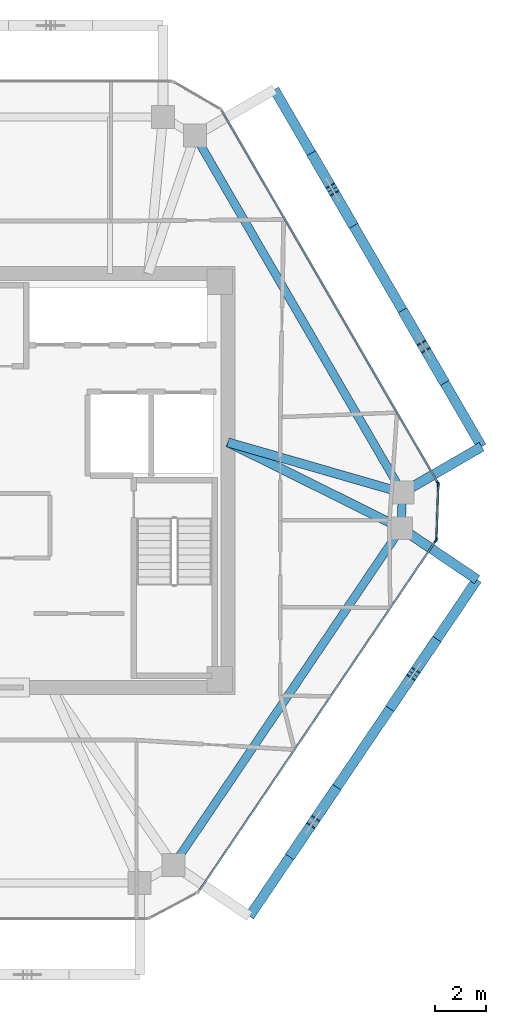
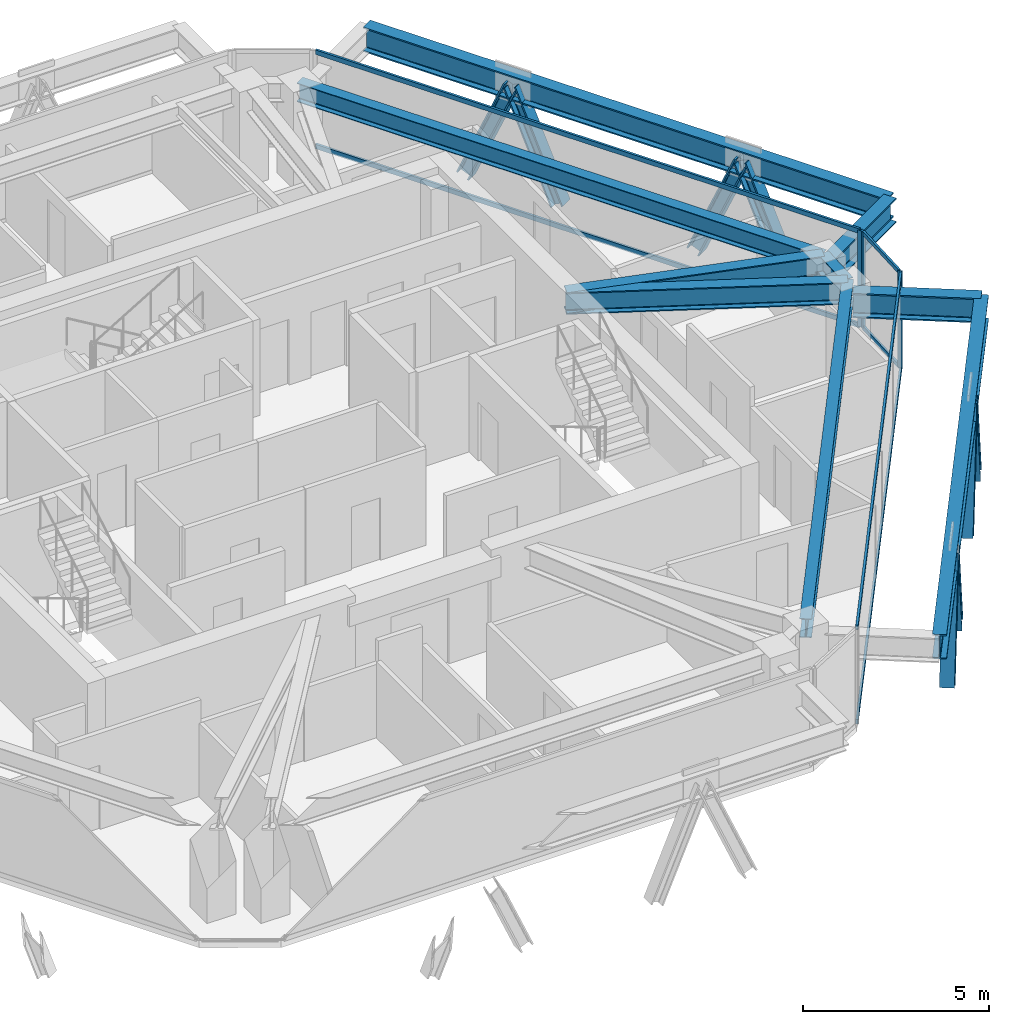
# One storey, part 5 of 13: 18 members, 9 beams, 3 elements without a shape of their own.
"""IFC4 building model written with IfcOpenShell, lengths in metres."""

import ifcopenshell
import ifcopenshell.guid

model = None  # the IFC model being written
_history = None  # IfcOwnerHistory: only IFC2X3 demands one
_inside = {}  # id of a spatial element -> (the spatial element, [elements in it])
_under = {}  # id of a project, library or spatial element -> (it, [spatial elements below it])
_declared = {}  # id of a project -> (the project, [libraries it declares])
_typed = {}  # id of a type object -> (the type object, [elements of that type])
_made_of = {}  # id of a material, layer set ... -> (it, [elements and type objects made of it])


def new_model(schema):
    """Start an empty IFC model of exactly this schema.

    Asked for "IFC4X3", IfcOpenShell would pick the latest addendum, in which some entities
    have other attributes; the version numbers below select the first issue.
    IFC2X3 requires an IfcOwnerHistory on every rooted entity: one is made here for all.
    """
    global model, _history
    if schema == "IFC4X3":
        model = ifcopenshell.file(schema_version=(4, 3, 0, 0))
    else:
        model = ifcopenshell.file(schema=schema)
    _inside.clear()
    _under.clear()
    _declared.clear()
    _typed.clear()
    _made_of.clear()
    _history = None
    if model.schema == "IFC2X3":
        org = make("IfcOrganization", Name="unknown")
        user = make(
            "IfcPersonAndOrganization",
            ThePerson=make("IfcPerson", FamilyName="unknown"),
            TheOrganization=org,
        )
        app = make(
            "IfcApplication",
            ApplicationDeveloper=org,
            Version="unknown",
            ApplicationFullName="unknown",
            ApplicationIdentifier="unknown",
        )
        _history = make(
            "IfcOwnerHistory",
            OwningUser=user,
            OwningApplication=app,
            ChangeAction="ADDED",
            CreationDate=0,
        )
    return model


def make(cls, **values):
    """One entity of the class cls with the attributes given. An attribute that is None is left unset."""
    return model.create_entity(
        cls, **{name: value for name, value in values.items() if value is not None}
    )


def rooted(cls, **values):
    """An entity with a GlobalId (a new one), such as an element, a storey or a relation."""
    return make(cls, GlobalId=ifcopenshell.guid.new(), OwnerHistory=_history, **values)


def si_unit(unit_type, name, prefix=None):
    """IfcSIUnit, for example si_unit("LENGTHUNIT", "METRE", prefix="MILLI")."""
    return make("IfcSIUnit", UnitType=unit_type, Prefix=prefix, Name=name)


def assignment(units):
    """IfcUnitAssignment: the units of a project."""
    return None if units is None else make("IfcUnitAssignment", Units=units)


def point(xyz):
    """IfcCartesianPoint."""
    return None if xyz is None else make("IfcCartesianPoint", Coordinates=xyz)


def direction(xyz):
    """IfcDirection."""
    return None if xyz is None else make("IfcDirection", DirectionRatios=xyz)


def frame(location, z_axis=None, x_axis=None):
    """IfcAxis2Placement3D, a coordinate frame: its origin and axes. An axis left out is left unset."""
    return make(
        "IfcAxis2Placement3D",
        Location=point(location),
        Axis=direction(z_axis),
        RefDirection=direction(x_axis),
    )


def frame_2d(location, x_axis=None):
    """IfcAxis2Placement2D, a coordinate frame in the plane: its origin and x axis."""
    return make(
        "IfcAxis2Placement2D", Location=point(location), RefDirection=direction(x_axis)
    )


def origin():
    """The frame at (0, 0, 0) with its axes left unset."""
    return frame((0.0, 0.0, 0.0))


def origin_2d():
    """The frame at (0, 0) in the plane with its x axis left unset."""
    return frame_2d((0.0, 0.0))


def place(relative_to, where):
    """IfcLocalPlacement: puts the frame where relative to a parent placement (None: the world)."""
    return make(
        "IfcLocalPlacement", PlacementRelTo=relative_to, RelativePlacement=where
    )


def context(
    kind, dimensions, precision=None, world=None, true_north=None, identifier=None
):
    """IfcGeometricRepresentationContext, for example the 3D "Model" context."""
    return make(
        "IfcGeometricRepresentationContext",
        ContextIdentifier=identifier,
        ContextType=kind,
        CoordinateSpaceDimension=dimensions,
        Precision=precision,
        WorldCoordinateSystem=world,
        TrueNorth=true_north,
    )


def subcontext(parent, identifier, kind, view, scale=None):
    """IfcGeometricRepresentationSubContext, for example "Body" below "Model"."""
    return make(
        "IfcGeometricRepresentationSubContext",
        ContextIdentifier=identifier,
        ContextType=kind,
        ParentContext=parent,
        TargetScale=scale,
        TargetView=view,
    )


def project(units=None, contexts=None):
    """IfcProject with its units and contexts."""
    return rooted(
        "IfcProject",
        Name="project",
        RepresentationContexts=contexts,
        UnitsInContext=assignment(units),
    )


def spatial(cls, under=None, at=None, **own):
    """A site, building, storey or space (cls), placed at a placement, below another one or the project."""
    s = rooted(cls, ObjectPlacement=at, **own)
    if under is not None:
        _under.setdefault(under.id(), (under, []))[1].append(s)
    return s


def profile(cls, at=None, kind="AREA", **sizes):
    """A parametric profile (cls). Its sizes go by their IFC names, for example OverallWidth=200.0."""
    return make(cls, ProfileType=kind, Position=at, **sizes)


def rectangle(**sizes):
    """IfcRectangleProfileDef."""
    return profile("IfcRectangleProfileDef", **sizes)


def i_section(**sizes):
    """IfcIShapeProfileDef."""
    return profile("IfcIShapeProfileDef", **sizes)


def extrude(swept, where, along, depth):
    """IfcExtrudedAreaSolid: the profile swept, set in the frame where, extruded along a direction by depth."""
    return make(
        "IfcExtrudedAreaSolid",
        SweptArea=swept,
        Position=where,
        ExtrudedDirection=direction(along),
        Depth=depth,
    )


def shape(context_of_items, identifier, shape_type, items):
    """IfcShapeRepresentation: the items that make up one representation, for example the "Body"."""
    return make(
        "IfcShapeRepresentation",
        ContextOfItems=context_of_items,
        RepresentationIdentifier=identifier,
        RepresentationType=shape_type,
        Items=items,
    )


def source(mapping_origin, context_of_items, identifier, shape_type, items):
    """IfcRepresentationMap: a shape defined once, which mapped items show again and again."""
    return make(
        "IfcRepresentationMap",
        MappingOrigin=mapping_origin,
        MappedRepresentation=shape(context_of_items, identifier, shape_type, items),
    )


def transform(
    local_origin,
    x_axis=None,
    y_axis=None,
    z_axis=None,
    scale=None,
    scale2=None,
    scale3=None,
    uniform=True,
):
    """IfcCartesianTransformationOperator3D, or its non-uniform kind. x_axis, y_axis, z_axis: its Axis1, 2, 3."""
    if uniform:
        return make(
            "IfcCartesianTransformationOperator3D",
            Axis1=direction(x_axis),
            Axis2=direction(y_axis),
            LocalOrigin=point(local_origin),
            Scale=scale,
            Axis3=direction(z_axis),
        )
    return make(
        "IfcCartesianTransformationOperator3DnonUniform",
        Axis1=direction(x_axis),
        Axis2=direction(y_axis),
        LocalOrigin=point(local_origin),
        Scale=scale,
        Axis3=direction(z_axis),
        Scale2=scale2,
        Scale3=scale3,
    )


def mapped(mapping_source, mapping_target):
    """IfcMappedItem: shows the shape of a source again, moved by a transform."""
    return make(
        "IfcMappedItem", MappingSource=mapping_source, MappingTarget=mapping_target
    )


def material(Name=None, Category=None):
    """IfcMaterial."""
    return make("IfcMaterial", Name=Name, Category=Category)


def layer(
    of_material, thickness, ventilated=None, Name=None, Category=None, Priority=None
):
    """IfcMaterialLayer: one layer of a wall or slab, of a material (None: an air gap)."""
    return make(
        "IfcMaterialLayer",
        Material=of_material,
        LayerThickness=thickness,
        IsVentilated=ventilated,
        Name=Name,
        Category=Category,
        Priority=Priority,
    )


def layer_set(layers, Name=None):
    """IfcMaterialLayerSet."""
    return make("IfcMaterialLayerSet", MaterialLayers=layers, LayerSetName=Name)


def material_profile(
    of_material, cross_section, Name=None, Category=None, Priority=None
):
    """IfcMaterialProfile: a cross section and its material."""
    return make(
        "IfcMaterialProfile",
        Name=Name,
        Material=of_material,
        Profile=cross_section,
        Priority=Priority,
        Category=Category,
    )


def profile_set(profiles, Name=None, composite=None):
    """IfcMaterialProfileSet."""
    return make(
        "IfcMaterialProfileSet",
        Name=Name,
        MaterialProfiles=profiles,
        CompositeProfile=composite,
    )


def made_of(thing, what):
    """Note that an element or type object is made of a material, layer set ...; save() writes the relation."""
    if what is not None:
        _made_of.setdefault(what.id(), (what, []))[1].append(thing)
    return thing


def type_object(cls, material=None, **own):
    """A type object (cls), such as IfcWallType, which elements share."""
    return made_of(rooted(cls, **own), material)


def type_shapes(of_type, sources):
    """Give a type object the sources (RepresentationMaps) that its elements show as mapped items."""
    of_type.RepresentationMaps = sources


def element(
    cls,
    number,
    at=None,
    inside=None,
    cuts=None,
    type_object=None,
    material=None,
    context=None,
    identifier="Body",
    shape_type=None,
    held_by="IfcProductDefinitionShape",
    body=None,
    shapes=None,
    **own,
):
    """One element of the class cls, such as IfcWall. Its Tag is "e" and its number.

    at: its placement. inside: the storey or other place that contains it. cuts: it is an
    opening in that element (IfcRelVoidsElement). A single representation is given by context,
    identifier, shape_type and body (its items); several are given by shapes. held_by: the class
    of the entity that holds the representations. save() writes the other relations.
    """
    e = rooted(cls, Tag="e%d" % number, ObjectPlacement=at, **own)
    if body is not None:
        shapes = [shape(context, identifier, shape_type, body)]
    if shapes is not None:
        e.Representation = make(held_by, Representations=shapes)
    if inside is not None:
        _inside.setdefault(inside.id(), (inside, []))[1].append(e)
    if cuts is not None:
        rooted(
            "IfcRelVoidsElement", RelatingBuildingElement=cuts, RelatedOpeningElement=e
        )
    if type_object is not None:
        _typed.setdefault(type_object.id(), (type_object, []))[1].append(e)
    return made_of(e, material)


def aggregate(whole, parts):
    """IfcRelAggregates: a whole, such as a stair, and the parts it consists of."""
    return rooted("IfcRelAggregates", RelatingObject=whole, RelatedObjects=parts)


def save(model, path):
    """Write the relations noted so far, then the file.

    IfcRelAggregates (storeys below a building ...), IfcRelContainedInSpatialStructure (elements
    in a storey), IfcRelDefinesByType, IfcRelAssociatesMaterial and IfcRelDeclares: one each for
    every whole, place, type object, material and project.
    """
    for whole, parts in _under.values():
        aggregate(whole, parts)
    for where, things in _inside.values():
        rooted(
            "IfcRelContainedInSpatialStructure",
            RelatedElements=things,
            RelatingStructure=where,
        )
    for kind, things in _typed.values():
        rooted("IfcRelDefinesByType", RelatedObjects=things, RelatingType=kind)
    for what, things in _made_of.values():
        rooted("IfcRelAssociatesMaterial", RelatedObjects=things, RelatingMaterial=what)
    for by, libraries in _declared.values():
        rooted("IfcRelDeclares", RelatingContext=by, RelatedDefinitions=libraries)
    model.write(path)


model = new_model("IFC4")

# Units and contexts
model_context = context("Model", 3, precision=1e-05, world=origin(), true_north=direction((0.0, 1.0)))
body_context = subcontext(model_context, "Body", "Model", "MODEL_VIEW")
ifc_project = project(units=[si_unit("LENGTHUNIT", "METRE"), si_unit("AREAUNIT", "SQUARE_METRE"), si_unit("VOLUMEUNIT", "CUBIC_METRE"), si_unit("PLANEANGLEUNIT", "RADIAN"), si_unit("MASSUNIT", "GRAM", prefix="KILO")], contexts=[model_context])

# Site, building, storey
site_placement = place(None, origin())
site = spatial("IfcSite", under=ifc_project, at=site_placement, CompositionType="ELEMENT")
building_placement = place(site_placement, origin())
building = spatial("IfcBuilding", under=site, at=building_placement, Name="Durnholm Broadcast Tower", CompositionType="ELEMENT")
storey_placement = place(building_placement, frame((0.0, 0.0, 254.699951171875)))
storey = spatial("IfcBuildingStorey", under=building, at=storey_placement, Name="L71", CompositionType="ELEMENT", Elevation=254.699951171875)

# Beams
ifc_material_1 = material(Name="Steel ASTM A992 Grade 50", Category="steel")
ifc_material_profile_1 = material_profile(ifc_material_1, i_section(OverallWidth=0.385009765625, OverallDepth=0.802978515625, WebThickness=0.023681640625, FlangeThickness=0.0419921875, FilletRadius=0.032958984375, at=origin_2d()), Name="W30X261")
ifc_profile_set_1 = profile_set([ifc_material_profile_1], Name="Steel ASTM A992 Grade 50")
beam_type_1 = type_object("IfcBeamType", Name="BM-EXO-TIE", PredefinedType="USERDEFINED", material=ifc_profile_set_1)
shared_shape_1 = source(origin(), body_context, "Body", "SweptSolid", [
    extrude(i_section(OverallWidth=0.385009765625, OverallDepth=0.802978515625, WebThickness=0.023681640625, FlangeThickness=0.0419921875, FilletRadius=0.032958984375, at=origin_2d()), origin(), (0.0, 0.0, 1.0), 3.4560546875),
])
beam_1_placement = place(storey_placement, frame((17.0947265625, -0.40380859375, 2.408447265625), z_axis=(0.864924479231, 0.501902027518, 0.0), x_axis=(-0.501902027518, 0.864924479231, 0.0)))
element("IfcBeam", 1, at=beam_1_placement, inside=storey, type_object=beam_type_1, Name="L71 exoskeleton stand-off tie bracket F3.1", ObjectType="GIRDER", PredefinedType="USERDEFINED", context=body_context, shape_type="MappedRepresentation", body=[
    mapped(shared_shape_1, transform((0.0, 0.0, 0.0), x_axis=(1.0, 0.0, 0.0), y_axis=(0.0, 1.0, 0.0), z_axis=(0.0, 0.0, 1.0), scale=1.0)),
])
shared_shape_2 = source(origin(), body_context, "Body", "SweptSolid", [
    extrude(i_section(OverallWidth=0.385009765625, OverallDepth=0.802978515625, WebThickness=0.023681640625, FlangeThickness=0.0419921875, FilletRadius=0.032958984375, at=origin_2d()), origin(), (0.0, 0.0, 1.0), 3.455810546875),
])
beam_2_placement = place(storey_placement, frame((17.041748046875, -1.95068359375, 2.408447265625), z_axis=(0.828446342252, -0.560068440469, 0.0), x_axis=(0.560068440469, 0.828446342252, 0.0)))
element("IfcBeam", 2, at=beam_2_placement, inside=storey, type_object=beam_type_1, Name="L71 exoskeleton stand-off tie bracket F2.2", ObjectType="GIRDER", PredefinedType="USERDEFINED", context=body_context, shape_type="MappedRepresentation", body=[
    mapped(shared_shape_2, transform((0.0, 0.0, 0.0), x_axis=(1.0, 0.0, 0.0), y_axis=(0.0, 1.0, 0.0), z_axis=(0.0, 0.0, 1.0), scale=1.0)),
])
ifc_material_profile_2 = material_profile(ifc_material_1, i_section(OverallWidth=0.3251953125, OverallDepth=0.6162109375, WebThickness=0.013916015625, FlangeThickness=0.021484375, FilletRadius=0.02783203125, at=origin_2d()), Name="W24X117")
ifc_profile_set_2 = profile_set([ifc_material_profile_2], Name="Steel ASTM A992 Grade 50")
beam_type_2 = type_object("IfcBeamType", Name="STL-SP-W24X117", PredefinedType="SPANDREL", material=ifc_profile_set_2)
shared_shape_3 = source(origin(), body_context, "Body", "SweptSolid", [
    extrude(i_section(OverallWidth=0.3251953125, OverallDepth=0.6162109375, WebThickness=0.013916015625, FlangeThickness=0.021484375, FilletRadius=0.02783203125, at=origin_2d()), origin(), (0.0, 0.0, 1.0), 1.39453125),
])
beam_3_placement = place(storey_placement, frame((16.97021484375, -0.47607421875, 2.8369140625), z_axis=(-0.034311541846, -0.999411185697, 0.0), x_axis=(0.999411185697, -0.034311541846, 0.0)))
element("IfcBeam", 3, at=beam_3_placement, inside=storey, type_object=beam_type_2, Name="L71 perimeter spandrel girder 08", PredefinedType="SPANDREL", context=body_context, shape_type="MappedRepresentation", body=[
    mapped(shared_shape_3, transform((0.0, 0.0, 0.0), x_axis=(1.0, 0.0, 0.0), y_axis=(0.0, 1.0, 0.0), z_axis=(0.0, 0.0, 1.0), scale=1.0)),
])
shared_shape_4 = source(origin(), body_context, "Body", "SweptSolid", [
    extrude(i_section(OverallWidth=0.3251953125, OverallDepth=0.6162109375, WebThickness=0.013916015625, FlangeThickness=0.021484375, FilletRadius=0.02783203125, at=origin_2d()), origin(), (0.0, 0.0, 1.0), 15.947265625),
])
beam_4_placement = place(storey_placement, frame((16.92236328125, -1.869873046875, 2.8369140625), z_axis=(-0.560062212489, -0.828450552623, 0.0), x_axis=(0.828450552623, -0.560062212489, 0.0)))
element("IfcBeam", 4, at=beam_4_placement, inside=storey, type_object=beam_type_2, Name="L71 perimeter spandrel girder 09", PredefinedType="SPANDREL", context=body_context, shape_type="MappedRepresentation", body=[
    mapped(shared_shape_4, transform((0.0, 0.0, 0.0), x_axis=(1.0, 0.0, 0.0), y_axis=(0.0, 1.0, 0.0), z_axis=(0.0, 0.0, 1.0), scale=1.0)),
])
shared_shape_5 = source(origin(), body_context, "Body", "SweptSolid", [
    extrude(i_section(OverallWidth=0.3251953125, OverallDepth=0.6162109375, WebThickness=0.013916015625, FlangeThickness=0.021484375, FilletRadius=0.02783203125, at=origin_2d()), origin(), (0.0, 0.0, 1.0), 16.20263671875),
])
type_shapes(beam_type_2, [shared_shape_3, shared_shape_4, shared_shape_5])
beam_5_placement = place(storey_placement, frame((8.83740234375, 13.53759765625, 2.8369140625), z_axis=(0.501943573333, -0.864900369516, 0.0), x_axis=(0.864900369516, 0.501943573333, 0.0)))
element("IfcBeam", 5, at=beam_5_placement, inside=storey, type_object=beam_type_2, Name="L71 perimeter spandrel girder 07", PredefinedType="SPANDREL", context=body_context, shape_type="MappedRepresentation", body=[
    mapped(shared_shape_5, transform((0.0, 0.0, 0.0), x_axis=(1.0, 0.0, 0.0), y_axis=(0.0, 1.0, 0.0), z_axis=(0.0, 0.0, 1.0), scale=1.0)),
])
shared_shape_6 = source(origin(), body_context, "Body", "SweptSolid", [
    extrude(i_section(OverallWidth=0.385009765625, OverallDepth=0.802978515625, WebThickness=0.023681640625, FlangeThickness=0.0419921875, FilletRadius=0.032958984375, at=origin_2d()), origin(), (0.0, 0.0, 1.0), 15.947021484375),
])
beam_6_placement = place(storey_placement, frame((10.973388671875, -17.097412109375, 2.408447265625), z_axis=(0.560069315853, 0.828445750451, 0.0), x_axis=(-0.828445750451, 0.560069315853, 0.0)))
element("IfcBeam", 6, at=beam_6_placement, inside=storey, type_object=beam_type_1, Name="L71 exoskeleton collector spandrel F2", PredefinedType="SPANDREL", context=body_context, shape_type="MappedRepresentation", body=[
    mapped(shared_shape_6, transform((0.0, 0.0, 0.0), x_axis=(1.0, 0.0, 0.0), y_axis=(0.0, 1.0, 0.0), z_axis=(0.0, 0.0, 1.0), scale=1.0)),
])
shared_shape_7 = source(origin(), body_context, "Body", "SweptSolid", [
    extrude(i_section(OverallWidth=0.385009765625, OverallDepth=0.802978515625, WebThickness=0.023681640625, FlangeThickness=0.0419921875, FilletRadius=0.032958984375, at=origin_2d()), origin(), (0.0, 0.0, 1.0), 16.202880859375),
])
type_shapes(beam_type_1, [shared_shape_1, shared_shape_2, shared_shape_6, shared_shape_7])
beam_7_placement = place(storey_placement, frame((20.083984375, 1.330810546875, 2.408447265625), z_axis=(-0.501948303381, 0.864897624423, 0.0), x_axis=(-0.864897624423, -0.501948303381, 0.0)))
element("IfcBeam", 7, at=beam_7_placement, inside=storey, type_object=beam_type_1, Name="L71 exoskeleton collector spandrel F3", PredefinedType="SPANDREL", context=body_context, shape_type="MappedRepresentation", body=[
    mapped(shared_shape_7, transform((0.0, 0.0, 0.0), x_axis=(1.0, 0.0, 0.0), y_axis=(0.0, 1.0, 0.0), z_axis=(0.0, 0.0, 1.0), scale=1.0)),
])
ifc_material_profile_3 = material_profile(ifc_material_1, i_section(OverallWidth=0.3564453125, OverallDepth=0.713623046875, WebThickness=0.01904296875, FlangeThickness=0.033935546875, FilletRadius=0.030517578125, at=origin_2d()), Name="W27X194")
ifc_profile_set_3 = profile_set([ifc_material_profile_3], Name="Steel ASTM A992 Grade 50")
beam_type_3 = type_object("IfcBeamType", Name="STL-GR-W27X194", PredefinedType="USERDEFINED", material=ifc_profile_set_3)
shared_shape_8 = source(origin(), body_context, "Body", "SweptSolid", [
    extrude(i_section(OverallWidth=0.3564453125, OverallDepth=0.713623046875, WebThickness=0.01904296875, FlangeThickness=0.033935546875, FilletRadius=0.030517578125, at=origin_2d()), origin(), (0.0, 0.0, 1.0), 7.124755859375),
])
beam_8_placement = place(storey_placement, frame((10.125, 1.5, 2.788330078125), z_axis=(0.960767767054, -0.277354101809, 0.0), x_axis=(0.277354101809, 0.960767767054, 0.0)))
element("IfcBeam", 8, at=beam_8_placement, inside=storey, type_object=beam_type_3, Name="L71 radial primary floor girder 08", ObjectType="GIRDER", PredefinedType="USERDEFINED", context=body_context, shape_type="MappedRepresentation", body=[
    mapped(shared_shape_8, transform((0.0, 0.0, 0.0), x_axis=(1.0, 0.0, 0.0), y_axis=(0.0, 1.0, 0.0), z_axis=(0.0, 0.0, 1.0), scale=1.0)),
])
shared_shape_9 = source(origin(), body_context, "Body", "SweptSolid", [
    extrude(i_section(OverallWidth=0.3564453125, OverallDepth=0.713623046875, WebThickness=0.01904296875, FlangeThickness=0.033935546875, FilletRadius=0.030517578125, at=origin_2d()), origin(), (0.0, 0.0, 1.0), 7.5869140625),
])
type_shapes(beam_type_3, [shared_shape_8, shared_shape_9])
beam_9_placement = place(storey_placement, frame((10.125, 1.5, 2.788330078125), z_axis=(0.895940903598, -0.444173273916, 0.0), x_axis=(0.444173273916, 0.895940903598, 0.0)))
element("IfcBeam", 9, at=beam_9_placement, inside=storey, type_object=beam_type_3, Name="L71 radial primary floor girder 09", ObjectType="GIRDER", PredefinedType="USERDEFINED", context=body_context, shape_type="MappedRepresentation", body=[
    mapped(shared_shape_9, transform((0.0, 0.0, 0.0), x_axis=(1.0, 0.0, 0.0), y_axis=(0.0, 1.0, 0.0), z_axis=(0.0, 0.0, 1.0), scale=1.0)),
])

# Members
ifc_material_2 = material(Name="Steel ASTM A913 Grade 65", Category="steel")
ifc_material_profile_4 = material_profile(ifc_material_2, i_section(OverallWidth=0.40625, OverallDepth=0.416015625, WebThickness=0.02978515625, FlangeThickness=0.048095703125, FilletRadius=0.030517578125, at=origin_2d()), Name="W14X257")
ifc_profile_set_4 = profile_set([ifc_material_profile_4], Name="Steel ASTM A913 Grade 65")
member_type_1 = type_object("IfcMemberType", Name="STL-DG-W14X257", PredefinedType="BRACE", material=ifc_profile_set_4)
shared_shape_10 = source(origin(), body_context, "Body", "SweptSolid", [
    extrude(i_section(OverallWidth=0.40625, OverallDepth=0.416015625, WebThickness=0.02978515625, FlangeThickness=0.048095703125, FilletRadius=0.030517578125, at=origin_2d()), origin(), (0.0, 0.0, 1.0), 3.699462890625),
])
type_shapes(member_type_1, [shared_shape_10])
for number, where, z_axis, x_axis, name in (
    (10, (12.657470703125, -14.6064453125, -0.991455078125), (0.220747552847, 0.32660078895, 0.919022547367), (-0.828505003222, 0.559981660089, 0.0), "L71 stand-off diagrid brace F2.D1.1"),
    (11, (14.290771484375, -12.190185546875, -0.991455078125), (-0.220752310393, -0.326541833132, 0.919042354122), (0.828452496411, -0.560059337206, 0.0), "L71 stand-off diagrid brace F2.D1.2"),
    (12, (16.58740234375, -8.79345703125, -0.991455078125), (0.220747552847, 0.32660078895, 0.919022547367), (-0.828505003222, 0.559981660089, 0.0), "L71 stand-off diagrid brace F2.D2.1"),
    (13, (18.220703125, -6.377197265625, -0.991455078125), (-0.220752310393, -0.326541833132, 0.919042354122), (0.828452496411, -0.560059337206, 0.0), "L71 stand-off diagrid brace F2.D2.2"),
    (14, (18.53857421875, 3.99365234375, -0.991455078125), (-0.197850494882, 0.340925836077, 0.919034687033), (-0.864906184135, -0.501933554014, 0.0), "L71 stand-off diagrid brace F3.D1.1"),
    (15, (17.07470703125, 6.51611328125, -0.991455078125), (0.197850494882, -0.340925836077, 0.919034687033), (0.864906184135, 0.501933554014, 0.0), "L71 stand-off diagrid brace F3.D1.2"),
    (16, (14.960205078125, 10.15966796875, -0.991455078125), (-0.197850494882, 0.340925836077, 0.919034687033), (-0.864906184135, -0.501933554014, 0.0), "L71 stand-off diagrid brace F3.D2.1"),
    (17, (13.496337890625, 12.681884765625, -0.991455078125), (0.197854946062, -0.340867510477, 0.919055363196), (0.864863994925, 0.502006245263, 0.0), "L71 stand-off diagrid brace F3.D2.2"),
):
    element("IfcMember", number, at=place(storey_placement, frame(where, z_axis=z_axis, x_axis=x_axis)), inside=storey, type_object=member_type_1, Name=name, PredefinedType="BRACE", context=body_context, shape_type="MappedRepresentation", body=[
        mapped(shared_shape_10, transform((0.0, 0.0, 0.0), x_axis=(1.0, 0.0, 0.0), y_axis=(0.0, 1.0, 0.0), z_axis=(0.0, 0.0, 1.0), scale=1.0)),
    ])

# Curtain wall, members
ifc_material_3 = material(Name="Aluminium and Solar Control IGU", Category="aluminium")
ifc_layer_1 = layer(ifc_material_3, 0.1650390625)
ifc_layer_set_1 = layer_set([ifc_layer_1], Name="Aluminium and Solar Control IGU")
curtain_wall_type_1 = type_object("IfcCurtainWallType", Name="CW-SYS-5", PredefinedType="NOTDEFINED", material=ifc_layer_set_1)
curtain_wall_1_placement = place(storey_placement, origin())
curtain_wall_1 = element("IfcCurtainWall", 18, at=curtain_wall_1_placement, inside=storey, type_object=curtain_wall_type_1, Name="L71 curtain wall CW-CORNER CW-L71-CRN-07", PredefinedType="NOTDEFINED")
ifc_material_4 = material(Name="Aluminium 6063-T6", Category="aluminium")
ifc_material_profile_5 = material_profile(ifc_material_4, rectangle(XDim=0.06494140625, YDim=0.1298828125, at=origin_2d()), Name="CWT65X130")
ifc_profile_set_5 = profile_set([ifc_material_profile_5], Name="Aluminium 6063-T6")
member_type_2 = type_object("IfcMemberType", Name="CW-SYS-5-TRN", PredefinedType="USERDEFINED", material=ifc_profile_set_5)
shared_shape_11 = source(origin(), body_context, "Body", "SweptSolid", [
    extrude(rectangle(XDim=0.06494140625, YDim=0.1298828125, at=origin_2d()), origin(), (0.0, 0.0, 1.0), 2.06982421875),
])
type_shapes(member_type_2, [shared_shape_11])
member_1_placement = place(storey_placement, frame((18.381103515625, -0.186767578125, 0.032470703125), z_axis=(-0.034324150719, -0.999410752733, 0.0), x_axis=(0.999410752733, -0.034324150719, 0.0)))
member_1 = element("IfcMember", 19, at=member_1_placement, type_object=member_type_2, Name="CW-CORNER transom 1.1", ObjectType="TRANSOM", PredefinedType="USERDEFINED", context=body_context, shape_type="MappedRepresentation", body=[
    mapped(shared_shape_11, transform((0.0, 0.0, 0.0), x_axis=(1.0, 0.0, 0.0), y_axis=(0.0, 1.0, 0.0), z_axis=(0.0, 0.0, 1.0), scale=1.0)),
])
member_2_placement = place(storey_placement, frame((18.381103515625, -0.186767578125, 3.12744140625), z_axis=(-0.034324150719, -0.999410752733, 0.0), x_axis=(0.999410752733, -0.034324150719, 0.0)))
member_2 = element("IfcMember", 20, at=member_2_placement, type_object=member_type_2, Name="CW-CORNER transom 1.2", ObjectType="TRANSOM", PredefinedType="USERDEFINED", context=body_context, shape_type="MappedRepresentation", body=[
    mapped(shared_shape_11, transform((0.0, 0.0, 0.0), x_axis=(1.0, 0.0, 0.0), y_axis=(0.0, 1.0, 0.0), z_axis=(0.0, 0.0, 1.0), scale=1.0)),
])

ifc_layer_2 = layer(ifc_material_3, 0.18994140625)
ifc_layer_set_2 = layer_set([ifc_layer_2], Name="Aluminium and Solar Control IGU")
curtain_wall_type_2 = type_object("IfcCurtainWallType", Name="CW-SYS-4", PredefinedType="NOTDEFINED", material=ifc_layer_set_2)
curtain_wall_2_placement = place(storey_placement, origin())
curtain_wall_2 = element("IfcCurtainWall", 21, at=curtain_wall_2_placement, inside=storey, type_object=curtain_wall_type_2, Name="L71 curtain wall CW-Z34-VIS CW-L71-F08", PredefinedType="NOTDEFINED")
ifc_material_profile_6 = material_profile(ifc_material_4, rectangle(XDim=0.070068359375, YDim=0.14990234375, at=origin_2d()), Name="CWT70X150")
ifc_profile_set_6 = profile_set([ifc_material_profile_6], Name="Aluminium 6063-T6")
member_type_3 = type_object("IfcMemberType", Name="CW-SYS-4-TRN", PredefinedType="USERDEFINED", material=ifc_profile_set_6)
shared_shape_12 = source(origin(), body_context, "Body", "SweptSolid", [
    extrude(rectangle(XDim=0.070068359375, YDim=0.14990234375, at=origin_2d()), origin(), (0.0, 0.0, 1.0), 16.55859375),
])
member_3_placement = place(storey_placement, frame((18.2685546875, -2.37841796875, 0.03515625), z_axis=(-0.560071338091, -0.828444383317, 0.0), x_axis=(0.828444383317, -0.560071338091, 0.0)))
member_3 = element("IfcMember", 22, at=member_3_placement, type_object=member_type_3, Name="CW-Z34-VIS transom 1.1", ObjectType="TRANSOM", PredefinedType="USERDEFINED", context=body_context, shape_type="MappedRepresentation", body=[
    mapped(shared_shape_12, transform((0.0, 0.0, 0.0), x_axis=(1.0, 0.0, 0.0), y_axis=(0.0, 1.0, 0.0), z_axis=(0.0, 0.0, 1.0), scale=1.0)),
])
member_4_placement = place(storey_placement, frame((18.2685546875, -2.37841796875, 3.125), z_axis=(-0.560071338091, -0.828444383317, 0.0), x_axis=(0.828444383317, -0.560071338091, 0.0)))
member_4 = element("IfcMember", 23, at=member_4_placement, type_object=member_type_3, Name="CW-Z34-VIS transom 1.2", ObjectType="TRANSOM", PredefinedType="USERDEFINED", context=body_context, shape_type="MappedRepresentation", body=[
    mapped(shared_shape_12, transform((0.0, 0.0, 0.0), x_axis=(1.0, 0.0, 0.0), y_axis=(0.0, 1.0, 0.0), z_axis=(0.0, 0.0, 1.0), scale=1.0)),
])

curtain_wall_3_placement = place(storey_placement, origin())
curtain_wall_3 = element("IfcCurtainWall", 24, at=curtain_wall_3_placement, inside=storey, type_object=curtain_wall_type_2, Name="L71 curtain wall CW-Z34-VIS CW-L71-F06", PredefinedType="NOTDEFINED")
shared_shape_13 = source(origin(), body_context, "Body", "SweptSolid", [
    extrude(rectangle(XDim=0.070068359375, YDim=0.14990234375, at=origin_2d()), origin(), (0.0, 0.0, 1.0), 16.83984375),
])
type_shapes(member_type_3, [shared_shape_12, shared_shape_13])
member_5_placement = place(storey_placement, frame((9.8955078125, 14.503662109375, 0.03515625), z_axis=(0.501945239029, -0.86489940283, 0.0), x_axis=(0.86489940283, 0.501945239029, 0.0)))
member_5 = element("IfcMember", 25, at=member_5_placement, type_object=member_type_3, Name="CW-Z34-VIS transom 1.1", ObjectType="TRANSOM", PredefinedType="USERDEFINED", context=body_context, shape_type="MappedRepresentation", body=[
    mapped(shared_shape_13, transform((0.0, 0.0, 0.0), x_axis=(1.0, 0.0, 0.0), y_axis=(0.0, 1.0, 0.0), z_axis=(0.0, 0.0, 1.0), scale=1.0)),
])
member_6_placement = place(storey_placement, frame((9.8955078125, 14.503662109375, 3.125), z_axis=(0.501945239029, -0.86489940283, 0.0), x_axis=(0.86489940283, 0.501945239029, 0.0)))
member_6 = element("IfcMember", 26, at=member_6_placement, type_object=member_type_3, Name="CW-Z34-VIS transom 1.2", ObjectType="TRANSOM", PredefinedType="USERDEFINED", context=body_context, shape_type="MappedRepresentation", body=[
    mapped(shared_shape_13, transform((0.0, 0.0, 0.0), x_axis=(1.0, 0.0, 0.0), y_axis=(0.0, 1.0, 0.0), z_axis=(0.0, 0.0, 1.0), scale=1.0)),
])

# Member
ifc_material_profile_7 = material_profile(ifc_material_4, rectangle(XDim=0.06494140625, YDim=0.1650390625, at=origin_2d()), Name="CWM65X165")
ifc_profile_set_7 = profile_set([ifc_material_profile_7], Name="Aluminium 6063-T6")
member_type_4 = type_object("IfcMemberType", Name="CW-SYS-5-MUL", PredefinedType="MULLION", material=ifc_profile_set_7)
shared_shape_14 = source(origin(), body_context, "Body", "SweptSolid", [
    extrude(rectangle(XDim=0.06494140625, YDim=0.1650390625, at=origin_2d()), origin(), (0.0, 0.0, 1.0), 3.16015625),
])
type_shapes(member_type_4, [shared_shape_14])
member_7_placement = place(storey_placement, frame((18.382080078125, -0.154296875, 0.0), z_axis=(0.0, 0.0, 1.0), x_axis=(0.999410955514, -0.034318245849, 0.0)))
member_7 = element("IfcMember", 27, at=member_7_placement, type_object=member_type_4, Name="CW-CORNER mullion 1", PredefinedType="MULLION", context=body_context, shape_type="MappedRepresentation", body=[
    mapped(shared_shape_14, transform((0.0, 0.0, 0.0), x_axis=(1.0, 0.0, 0.0), y_axis=(0.0, 1.0, 0.0), z_axis=(0.0, 0.0, 1.0), scale=1.0)),
])

member_8_placement = place(storey_placement, frame((18.308837890625, -2.287841796875, 0.0), z_axis=(0.0, 0.0, 1.0), x_axis=(0.999410955514, -0.034318245849, 0.0)))
member_8 = element("IfcMember", 28, at=member_8_placement, type_object=member_type_4, Name="CW-CORNER mullion 2", PredefinedType="MULLION", context=body_context, shape_type="MappedRepresentation", body=[
    mapped(shared_shape_14, transform((0.0, 0.0, 0.0), x_axis=(1.0, 0.0, 0.0), y_axis=(0.0, 1.0, 0.0), z_axis=(0.0, 0.0, 1.0), scale=1.0)),
])

aggregate(curtain_wall_1, [member_7, member_8, member_1, member_2])

ifc_material_profile_8 = material_profile(ifc_material_4, rectangle(XDim=0.070068359375, YDim=0.18994140625, at=origin_2d()), Name="CWM70X190")
ifc_profile_set_8 = profile_set([ifc_material_profile_8], Name="Aluminium 6063-T6")
member_type_5 = type_object("IfcMemberType", Name="CW-SYS-4-MUL", PredefinedType="MULLION", material=ifc_profile_set_8)
shared_shape_15 = source(origin(), body_context, "Body", "SweptSolid", [
    extrude(rectangle(XDim=0.070068359375, YDim=0.18994140625, at=origin_2d()), origin(), (0.0, 0.0, 1.0), 3.16015625),
])
type_shapes(member_type_5, [shared_shape_15])
member_9_placement = place(storey_placement, frame((18.36572265625, -0.09130859375, 0.0), z_axis=(0.0, 0.0, 1.0), x_axis=(0.864899883824, 0.50194441023, 0.0)))
member_9 = element("IfcMember", 29, at=member_9_placement, type_object=member_type_5, Name="CW-Z34-VIS mullion 2", PredefinedType="MULLION", context=body_context, shape_type="MappedRepresentation", body=[
    mapped(shared_shape_15, transform((0.0, 0.0, 0.0), x_axis=(1.0, 0.0, 0.0), y_axis=(0.0, 1.0, 0.0), z_axis=(0.0, 0.0, 1.0), scale=1.0)),
])

aggregate(curtain_wall_3, [member_9, member_5, member_6])

member_10_placement = place(storey_placement, frame((18.2880859375, -2.349365234375, 0.0), z_axis=(0.0, 0.0, 1.0), x_axis=(0.828443431662, -0.560072745753, 0.0)))
member_10 = element("IfcMember", 30, at=member_10_placement, type_object=member_type_5, Name="CW-Z34-VIS mullion 1", PredefinedType="MULLION", context=body_context, shape_type="MappedRepresentation", body=[
    mapped(shared_shape_15, transform((0.0, 0.0, 0.0), x_axis=(1.0, 0.0, 0.0), y_axis=(0.0, 1.0, 0.0), z_axis=(0.0, 0.0, 1.0), scale=1.0)),
])

aggregate(curtain_wall_2, [member_10, member_3, member_4])

save(model, "model.ifc")
